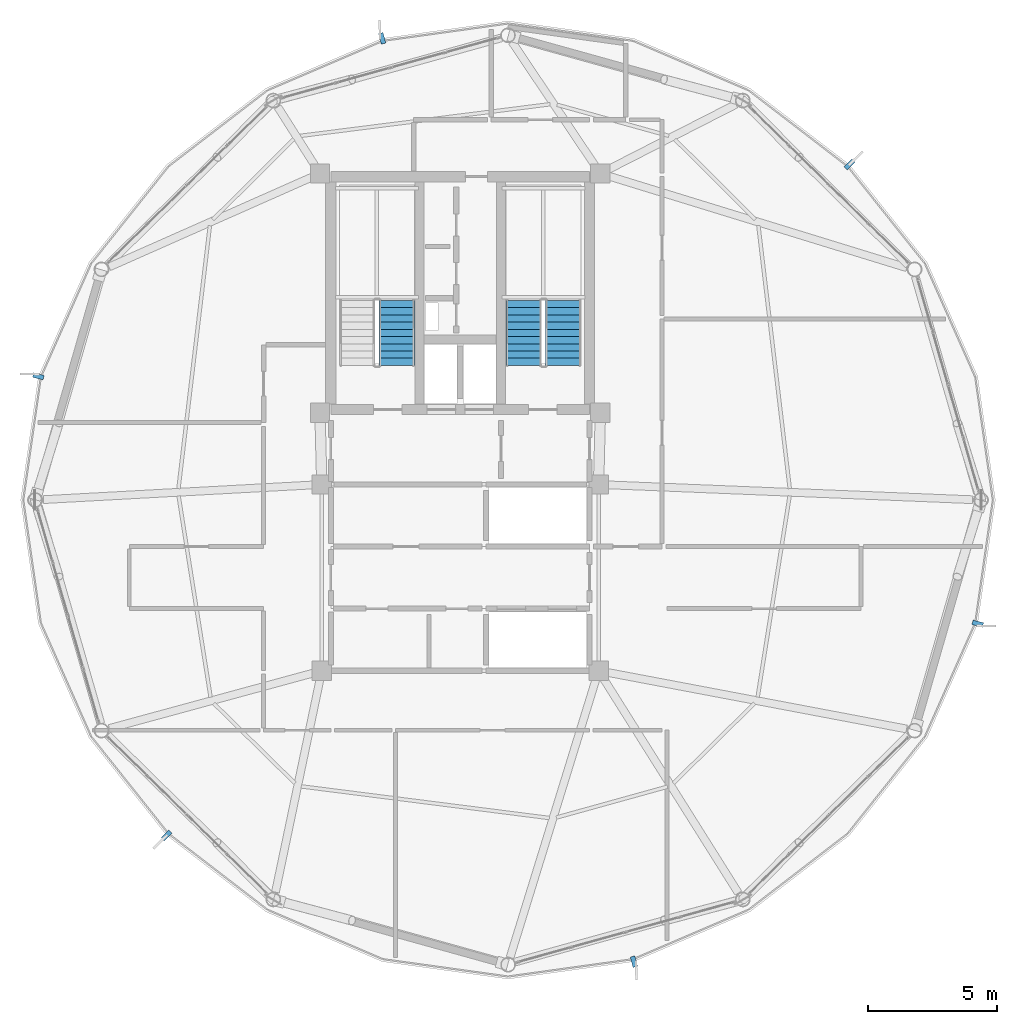
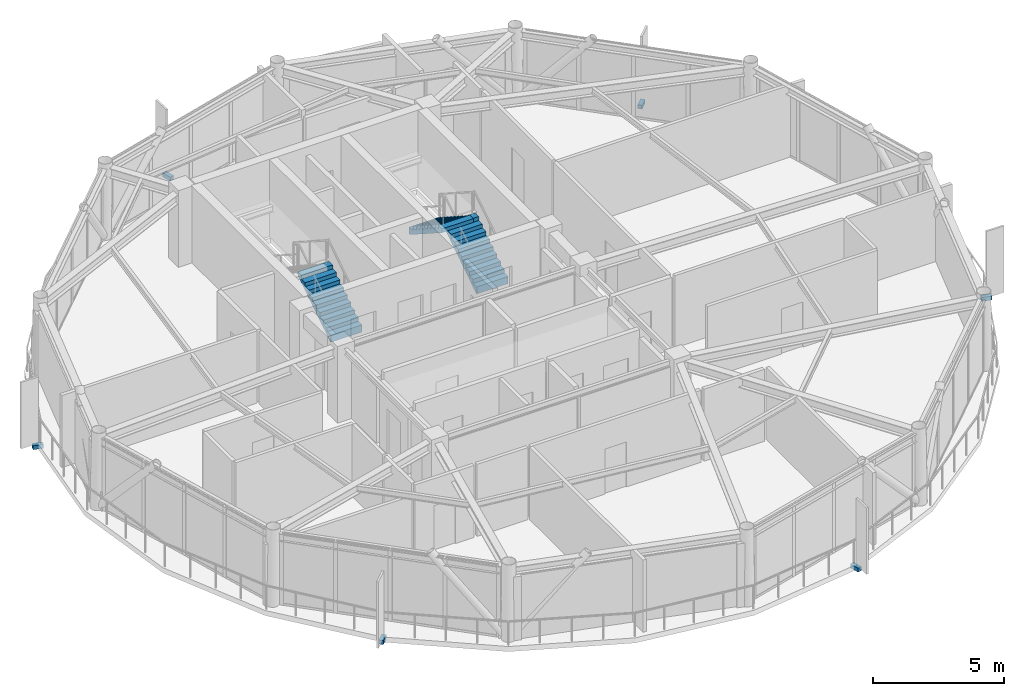
# One storey, part 22 of 25: 6 discrete accessories, 3 stair flights, 2 elements without a shape of their own.
"""IFC4 building model written with IfcOpenShell, lengths in metres."""

from ifc_helpers import new_model, si_unit, direction, frame, origin, origin_2d, place, context, subcontext, project, spatial, polyline, rectangle, outline, extrude, source, transform, mapped, material, type_object, type_shapes, element, aggregate, save


model = new_model("IFC4")

# Units and contexts
model_context = context("Model", 3, precision=1e-05, world=origin(), true_north=direction((0.0, 1.0)))
body_context = subcontext(model_context, "Body", "Model", "MODEL_VIEW")
ifc_project = project(units=[si_unit("LENGTHUNIT", "METRE"), si_unit("AREAUNIT", "SQUARE_METRE"), si_unit("VOLUMEUNIT", "CUBIC_METRE"), si_unit("PLANEANGLEUNIT", "RADIAN"), si_unit("MASSUNIT", "GRAM", prefix="KILO")], contexts=[model_context])

# Site, building, storey
site_placement = place(None, origin())
site = spatial("IfcSite", under=ifc_project, at=site_placement, CompositionType="ELEMENT")
building_placement = place(site_placement, origin())
building = spatial("IfcBuilding", under=site, at=building_placement, Name="Varnakorn Sky Granary", CompositionType="ELEMENT")
storey_placement = place(building_placement, frame((0.0, 0.0, 259.800048828125)))
storey = spatial("IfcBuildingStorey", under=building, at=storey_placement, Name="L66", CompositionType="ELEMENT", Elevation=259.800048828125)

# Stair, stair flight
ifc_material_1 = material(Name="Concrete C40/50", Category="concrete")
stair_type = type_object("IfcStairType", Name="ST-MAIN-ASSEMBLY", PredefinedType="HALF_TURN_STAIR", material=ifc_material_1)
stair_1_placement = place(storey_placement, origin())
stair_1 = element("IfcStair", 1, at=stair_1_placement, inside=storey, type_object=stair_type, Name="L66 Protected Exit Stair ST-1", PredefinedType="HALF_TURN_STAIR")
stair_flight_type = type_object("IfcStairFlightType", Name="ST-MAIN-FLIGHT", PredefinedType="STRAIGHT", material=ifc_material_1)
stair_flight_1_placement = place(storey_placement, frame((0.550048828125, 5.199951171875, 0.0), z_axis=(0.0, 0.0, 1.0), x_axis=(0.0, 1.0, 0.0)))
stair_flight_1 = element("IfcStairFlight", 2, at=stair_flight_1_placement, type_object=stair_flight_type, Name="ST-1 flight 1", NumberOfRisers=10, NumberOfTreads=9, PredefinedType="STRAIGHT", RiserHeight=0.18, TreadLength=0.28, context=body_context, shape_type="SweptSolid", body=[
    extrude(outline(polyline([(0.0, -0.14990234375), (0.0, 0.0), (0.0, 0.179931640625), (0.280029296875, 0.179931640625), (0.280029296875, 0.360107421875), (0.56005859375, 0.360107421875), (0.56005859375, 0.5400390625), (0.840087890625, 0.5400390625), (0.840087890625, 0.719970703125), (1.1201171875, 0.719970703125), (1.1201171875, 0.89990234375), (1.39990234375, 0.89990234375), (1.39990234375, 1.080078125), (1.679931640625, 1.080078125), (1.679931640625, 1.260009765625), (1.9599609375, 1.260009765625), (1.9599609375, 1.43994140625), (2.239990234375, 1.43994140625), (2.239990234375, 1.6201171875), (2.52001953125, 1.6201171875), (2.52001953125, 1.800048828125), (2.52001953125, 1.44189453125), (0.050048828125, -0.14990234375), (0.0, -0.14990234375)])), frame((0.0, 0.68994140625, 0.0), z_axis=(0.0, -1.0, 0.0), x_axis=(1.0, 0.0, 0.0)), (0.0, 0.0, 1.0), 1.3798828125),
])
aggregate(stair_1, [stair_flight_1])

# Stair, stair flights
stair_2_placement = place(storey_placement, origin())
stair_2 = element("IfcStair", 3, at=stair_2_placement, inside=storey, type_object=stair_type, Name="L66 Protected Exit Stair ST-2", PredefinedType="HALF_TURN_STAIR")
stair_flight_2_placement = place(storey_placement, frame((6.989990234375, 5.199951171875, 0.0), z_axis=(0.0, 0.0, 1.0), x_axis=(0.0, 1.0, 0.0)))
stair_flight_2 = element("IfcStairFlight", 4, at=stair_flight_2_placement, type_object=stair_flight_type, Name="ST-2 flight 1", NumberOfRisers=10, NumberOfTreads=9, PredefinedType="STRAIGHT", RiserHeight=0.18, TreadLength=0.28, context=body_context, shape_type="SweptSolid", body=[
    extrude(outline(polyline([(0.0, -0.14990234375), (0.0, 0.0), (0.0, 0.179931640625), (0.280029296875, 0.179931640625), (0.280029296875, 0.360107421875), (0.56005859375, 0.360107421875), (0.56005859375, 0.5400390625), (0.840087890625, 0.5400390625), (0.840087890625, 0.719970703125), (1.1201171875, 0.719970703125), (1.1201171875, 0.89990234375), (1.39990234375, 0.89990234375), (1.39990234375, 1.080078125), (1.679931640625, 1.080078125), (1.679931640625, 1.260009765625), (1.9599609375, 1.260009765625), (1.9599609375, 1.43994140625), (2.239990234375, 1.43994140625), (2.239990234375, 1.6201171875), (2.52001953125, 1.6201171875), (2.52001953125, 1.800048828125), (2.52001953125, 1.44189453125), (0.050048828125, -0.14990234375), (0.0, -0.14990234375)])), frame((0.0, 0.68994140625, 0.0), z_axis=(0.0, -1.0, 0.0), x_axis=(1.0, 0.0, 0.0)), (0.0, 0.0, 1.0), 1.3798828125),
])
stair_flight_3_placement = place(storey_placement, frame((5.4599609375, 7.719970703125, 1.800048828125), z_axis=(0.0, 0.0, 1.0), x_axis=(0.0, -1.0, 0.0)))
stair_flight_3 = element("IfcStairFlight", 5, at=stair_flight_3_placement, type_object=stair_flight_type, Name="ST-2 flight 2", NumberOfRisers=10, NumberOfTreads=9, PredefinedType="STRAIGHT", RiserHeight=0.18, TreadLength=0.28, context=body_context, shape_type="SweptSolid", body=[
    extrude(outline(polyline([(0.0, -0.14990234375), (0.0, 0.0), (0.0, 0.179931640625), (0.280029296875, 0.179931640625), (0.280029296875, 0.360107421875), (0.56005859375, 0.360107421875), (0.56005859375, 0.5400390625), (0.840087890625, 0.5400390625), (0.840087890625, 0.719970703125), (1.1201171875, 0.719970703125), (1.1201171875, 0.89990234375), (1.39990234375, 0.89990234375), (1.39990234375, 1.080078125), (1.679931640625, 1.080078125), (1.679931640625, 1.260009765625), (1.9599609375, 1.260009765625), (1.9599609375, 1.43994140625), (2.239990234375, 1.43994140625), (2.239990234375, 1.6201171875), (2.52001953125, 1.6201171875), (2.52001953125, 1.800048828125), (2.52001953125, 1.44189453125), (0.050048828125, -0.14990234375), (0.0, -0.14990234375)])), frame((0.0, 0.68994140625, 0.0), z_axis=(0.0, -1.0, 0.0), x_axis=(1.0, 0.0, 0.0)), (0.0, 0.0, 1.0), 1.3798828125),
])
aggregate(stair_2, [stair_flight_2, stair_flight_3])

# Discrete accessories
ifc_material_2 = material(Name="Steel S355JR", Category="steel")
discrete_accessory_type = type_object("IfcDiscreteAccessoryType", Name="AC-BRK-01", PredefinedType="BRACKET", material=ifc_material_2)
shared_shape = source(origin(), body_context, "Body", "SweptSolid", [
    extrude(rectangle(XDim=0.179931640625, YDim=0.419921875, at=origin_2d()), origin(), (0.0, 0.0, 1.0), 0.179931640625),
])
type_shapes(discrete_accessory_type, [shared_shape])
for number, where, z_axis, x_axis, name in (
    (6, (18.046875, 12.96826171875, -0.2001953125), (0.0, 0.0, 1.0), (-0.70090537995, 0.713254266273, 0.0), "Facade Solar-Screen Outrigger Bracket L66-02"),
    (7, (-0.015625, 17.84619140625, -0.2001953125), (0.0, 0.0, 1.0), (-0.96478579272, -0.263036830435, 0.0), "Facade Solar-Screen Outrigger Bracket L66-04"),
    (8, (-13.306640625, 4.781494140625, -0.2001953125), (0.0, 0.0, 1.0), (-0.254662422523, -0.967030015333, 0.0), "Facade Solar-Screen Outrigger Bracket L66-06"),
    (9, (-8.3466796875, -12.96826171875, -0.2001953125), (0.0, 0.0, 1.0), (0.70090537995, -0.713254266273, 0.0), "Facade Solar-Screen Outrigger Bracket L66-08"),
    (10, (9.715576171875, -17.84619140625, -0.2001953125), (0.0, 0.0, 1.0), (0.96478579272, 0.263036830435, 0.0), "Facade Solar-Screen Outrigger Bracket L66-10"),
    (11, (23.006591796875, -4.781494140625, -0.2001953125), (0.0, 0.0, 1.0), (0.254662422523, 0.967030015333, 0.0), "Facade Solar-Screen Outrigger Bracket L66-12"),
):
    element("IfcDiscreteAccessory", number, at=place(storey_placement, frame(where, z_axis=z_axis, x_axis=x_axis)), inside=storey, type_object=discrete_accessory_type, Name=name, PredefinedType="BRACKET", context=body_context, shape_type="MappedRepresentation", body=[
        mapped(shared_shape, transform((0.0, 0.0, 0.0), x_axis=(1.0, 0.0, 0.0), y_axis=(0.0, 1.0, 0.0), z_axis=(0.0, 0.0, 1.0), scale=1.0)),
    ])

save(model, "model.ifc")
